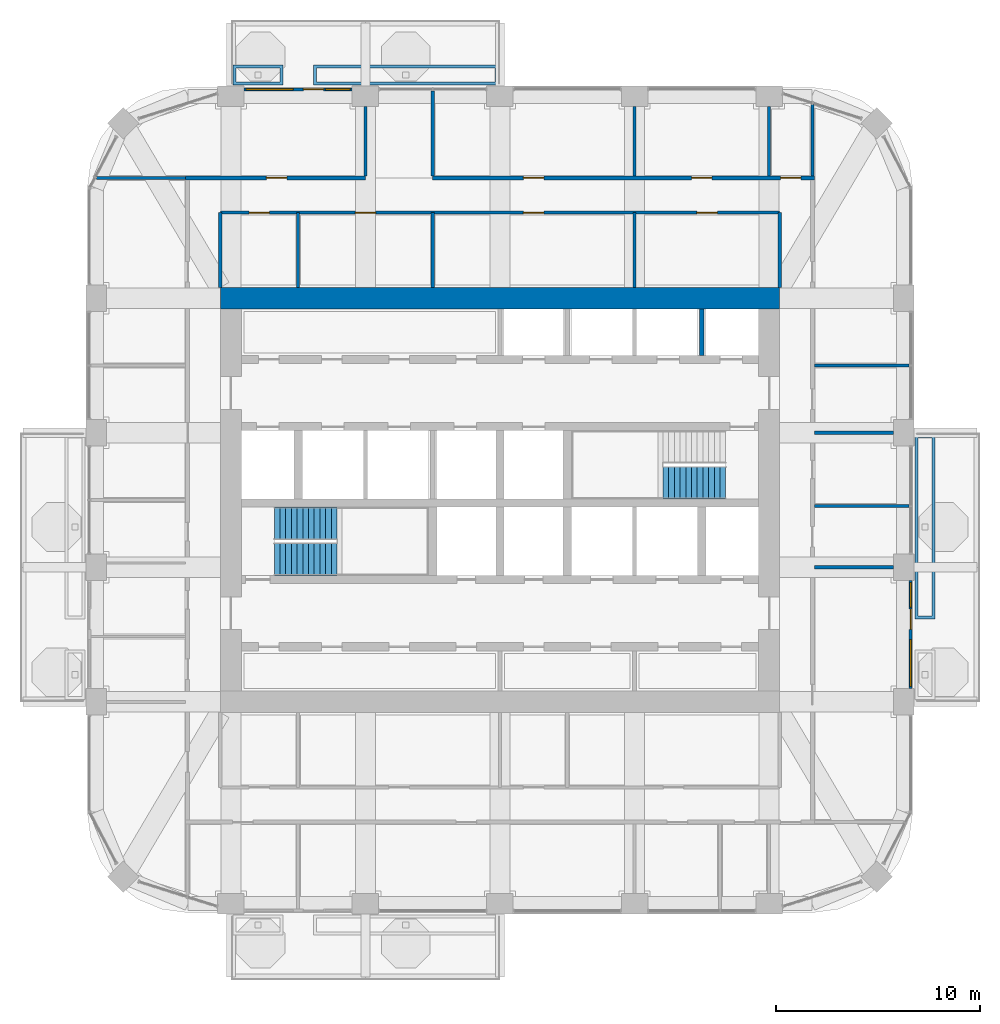
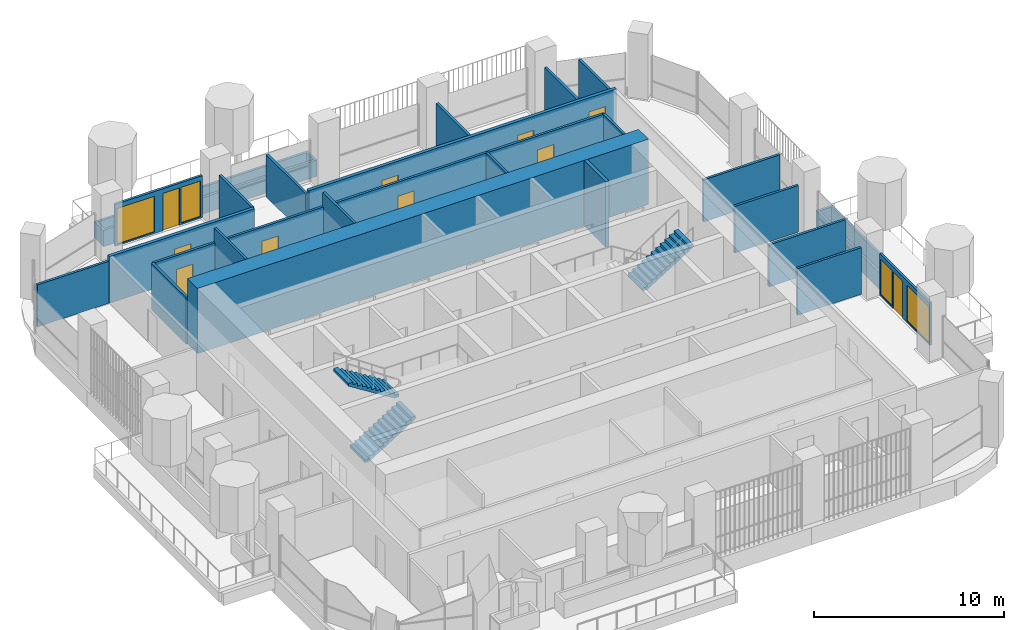
# One storey, part 14 of 19: 25 walls, 10 doors, 4 windows, 3 stair flights, 14 openings, 2 elements without a shape of their own.
"""IFC4 building model written with IfcOpenShell, lengths in metres."""

from ifc_helpers import new_model, si_unit, direction, frame, frame_2d, origin, place, context, subcontext, project, spatial, polyline, rectangle, outline, extrude, material, layer, layer_set, type_object, element, fill, aggregate, save


model = new_model("IFC4")

# Units and contexts
model_context = context("Model", 3, precision=1e-05, world=origin(), true_north=direction((0.0, 1.0)))
body_context = subcontext(model_context, "Body", "Model", "MODEL_VIEW")
ifc_project = project(units=[si_unit("LENGTHUNIT", "METRE"), si_unit("AREAUNIT", "SQUARE_METRE"), si_unit("VOLUMEUNIT", "CUBIC_METRE"), si_unit("PLANEANGLEUNIT", "RADIAN"), si_unit("MASSUNIT", "GRAM", prefix="KILO")], contexts=[model_context])

# Site, building, storey
site_placement = place(None, origin())
site = spatial("IfcSite", under=ifc_project, at=site_placement, CompositionType="ELEMENT")
building_placement = place(site_placement, origin())
building = spatial("IfcBuilding", under=site, at=building_placement, Name="Cobogo Forest Laboratory Tower", CompositionType="ELEMENT")
storey_placement = place(building_placement, frame((0.0, 0.0, 237.60009765625)))
storey = spatial("IfcBuildingStorey", under=building, at=storey_placement, Name="L54", CompositionType="ELEMENT", Elevation=237.60009765625)

# Wall
ifc_material_1 = material(Name="Concrete HA-50 (C50/60)", Category="concrete")
ifc_layer_1 = layer(ifc_material_1, 1.050048828125)
ifc_layer_set_1 = layer_set([ifc_layer_1], Name="CW1050 core outer wall 1050")
wall_type_1 = type_object("IfcWallType", Name="CW1050 core outer wall 1050", PredefinedType="SHEAR", material=ifc_layer_set_1)
wall_1_placement = place(storey_placement, frame((40.125, 33.0, 0.0), z_axis=(0.0, 0.0, 1.0), x_axis=(-1.0, 0.0, 0.0)))
element("IfcWall", 1, at=wall_1_placement, inside=storey, type_object=wall_type_1, Name="Core wall CO-N L54", PredefinedType="SHEAR", context=body_context, shape_type="SweptSolid", body=[
    extrude(rectangle(XDim=27.449951171875, YDim=1.050048828125, at=frame_2d((13.72509765625, 0.0))), origin(), (0.0, 0.0, 1.0), 4.199951171875),
])

# Wall, openings, door, windows
ifc_material_2 = material(Name="Aluminium framed glazed screen", Category="aluminium")
ifc_layer_2 = layer(ifc_material_2, 0.14990234375)
ifc_layer_set_2 = layer_set([ifc_layer_2], Name="GS1 glazed door screen 150")
wall_type_2 = type_object("IfcWallType", Name="GS1 glazed door screen 150", PredefinedType="SOLIDWALL", material=ifc_layer_set_2)
wall_2_placement = place(storey_placement, frame((46.550048828125, 13.85009765625, 0.0), z_axis=(0.0, 0.0, 1.0), x_axis=(0.0, 1.0, 0.0)))
wall_2 = element("IfcWall", 2, at=wall_2_placement, inside=storey, type_object=wall_type_2, Name="Door screen BAL-E1 L54", PredefinedType="SOLIDWALL", context=body_context, shape_type="SweptSolid", body=[
    extrude(rectangle(XDim=5.2998046875, YDim=0.14990234375, at=frame_2d((2.64990234375, 0.0))), origin(), (0.0, 0.0, 1.0), 2.699951171875),
])
opening_1_placement = place(wall_2_placement, frame((2.89990234375, 0.0, 0.0)))
opening_1 = element("IfcOpeningElement", 3, at=opening_1_placement, cuts=wall_2, Name="Opening L54-D23", PredefinedType="OPENING", context=body_context, shape_type="SweptSolid", body=[
    extrude(rectangle(XDim=1.0, YDim=2.39990234375, at=frame_2d((0.5, 1.199951171875))), frame((0.0, 0.0849609375, 0.0), z_axis=(0.0, -1.0, 0.0), x_axis=(1.0, 0.0, 0.0)), (0.0, 0.0, 1.0), 0.169921875),
])
opening_2_placement = place(wall_2_placement, frame((0.10009765625, 0.0, 0.10009765625)))
opening_2 = element("IfcOpeningElement", 4, at=opening_2_placement, cuts=wall_2, Name="Opening L54-W04", PredefinedType="OPENING", context=body_context, shape_type="SweptSolid", body=[
    extrude(rectangle(XDim=2.300048828125, YDim=2.300048828125, at=frame_2d((1.14990234375, 1.14990234375))), frame((0.0, 0.0849609375, 0.0), z_axis=(0.0, -1.0, 0.0), x_axis=(1.0, 0.0, 0.0)), (0.0, 0.0, 1.0), 0.169921875),
])
opening_3_placement = place(wall_2_placement, frame((4.0, 0.0, 0.10009765625)))
opening_3 = element("IfcOpeningElement", 5, at=opening_3_placement, cuts=wall_2, Name="Opening L54-W06", PredefinedType="OPENING", context=body_context, shape_type="SweptSolid", body=[
    extrude(rectangle(XDim=1.199951171875, YDim=2.300048828125, at=frame_2d((0.60009765625, 1.14990234375))), frame((0.0, 0.0849609375, 0.0), z_axis=(0.0, -1.0, 0.0), x_axis=(1.0, 0.0, 0.0)), (0.0, 0.0, 1.0), 0.169921875),
])
ifc_material_3 = material(Name="Aluminium glazed door", Category="aluminium")
door_type_1 = type_object("IfcDoorType", Name="DB1 balcony door 1000 glazed", OperationType="SINGLE_SWING_LEFT", PredefinedType="DOOR", material=ifc_material_3)
door_1_placement = place(opening_1_placement, origin())
door_1 = element("IfcDoor", 6, at=door_1_placement, inside=storey, type_object=door_type_1, Name="Door L54-BAL-E1", OperationType="SINGLE_SWING_RIGHT", OverallHeight=2.39990234375, OverallWidth=1.0, PredefinedType="DOOR", context=body_context, shape_type="SweptSolid", body=[
    extrude(rectangle(XDim=1.0, YDim=2.39990234375, at=frame_2d((0.5, 1.199951171875))), frame((0.0, 0.02490234375, 0.0), z_axis=(0.0, -1.0, 0.0), x_axis=(1.0, 0.0, 0.0)), (0.0, 0.0, 1.0), 0.050048828125),
])
fill(opening_1, door_1)
ifc_material_4 = material(Name="Aluminium framed glazing", Category="aluminium")
window_type_1 = type_object("IfcWindowType", Name="WG21 fixed glazed light 2300x2300", PartitioningType="SINGLE_PANEL", PredefinedType="WINDOW", material=ifc_material_4)
window_1_placement = place(opening_2_placement, origin())
window_1 = element("IfcWindow", 7, at=window_1_placement, inside=storey, type_object=window_type_1, Name="Window L54-BAL-E1-1", OverallHeight=2.300048828125, OverallWidth=2.300048828125, PartitioningType="SINGLE_PANEL", PredefinedType="WINDOW", context=body_context, shape_type="SweptSolid", body=[
    extrude(rectangle(XDim=2.300048828125, YDim=2.300048828125, at=frame_2d((1.14990234375, 1.14990234375))), frame((0.0, 0.030029296875, 0.0), z_axis=(0.0, -1.0, 0.0), x_axis=(1.0, 0.0, 0.0)), (0.0, 0.0, 1.0), 0.06005859375),
])
fill(opening_2, window_1)
window_type_2 = type_object("IfcWindowType", Name="WG22 fixed glazed light 1200x2300", PartitioningType="SINGLE_PANEL", PredefinedType="WINDOW", material=ifc_material_4)
window_2_placement = place(opening_3_placement, origin())
window_2 = element("IfcWindow", 8, at=window_2_placement, inside=storey, type_object=window_type_2, Name="Window L54-BAL-E1-2", OverallHeight=2.300048828125, OverallWidth=1.199951171875, PartitioningType="SINGLE_PANEL", PredefinedType="WINDOW", context=body_context, shape_type="SweptSolid", body=[
    extrude(rectangle(XDim=1.199951171875, YDim=2.300048828125, at=frame_2d((0.60009765625, 1.14990234375))), frame((0.0, 0.030029296875, 0.0), z_axis=(0.0, -1.0, 0.0), x_axis=(1.0, 0.0, 0.0)), (0.0, 0.0, 1.0), 0.06005859375),
])
fill(opening_3, window_2)

wall_3_placement = place(storey_placement, frame((19.14990234375, 43.25, 0.0), z_axis=(0.0, 0.0, 1.0), x_axis=(-1.0, 0.0, 0.0)))
wall_3 = element("IfcWall", 9, at=wall_3_placement, inside=storey, type_object=wall_type_2, Name="Door screen BAL-N1 L54", PredefinedType="SOLIDWALL", context=body_context, shape_type="SweptSolid", body=[
    extrude(rectangle(XDim=5.2998046875, YDim=0.14990234375, at=frame_2d((2.64990234375, 0.0))), origin(), (0.0, 0.0, 1.0), 2.699951171875),
])
opening_4_placement = place(wall_3_placement, frame((1.39990234375, 0.0, 0.0)))
opening_4 = element("IfcOpeningElement", 10, at=opening_4_placement, cuts=wall_3, Name="Opening L54-D52", PredefinedType="OPENING", context=body_context, shape_type="SweptSolid", body=[
    extrude(rectangle(XDim=1.0, YDim=2.39990234375, at=frame_2d((0.5, 1.199951171875))), frame((0.0, 0.0849609375, 0.0), z_axis=(0.0, -1.0, 0.0), x_axis=(1.0, 0.0, 0.0)), (0.0, 0.0, 1.0), 0.169921875),
])
opening_5_placement = place(wall_3_placement, frame((0.10009765625, 0.0, 0.10009765625)))
opening_5 = element("IfcOpeningElement", 11, at=opening_5_placement, cuts=wall_3, Name="Opening L54-W08", PredefinedType="OPENING", context=body_context, shape_type="SweptSolid", body=[
    extrude(rectangle(XDim=1.199951171875, YDim=2.300048828125, at=frame_2d((0.60009765625, 1.14990234375))), frame((0.0, 0.0849609375, 0.0), z_axis=(0.0, -1.0, 0.0), x_axis=(1.0, 0.0, 0.0)), (0.0, 0.0, 1.0), 0.169921875),
])
opening_6_placement = place(wall_3_placement, frame((2.89990234375, 0.0, 0.10009765625)))
opening_6 = element("IfcOpeningElement", 12, at=opening_6_placement, cuts=wall_3, Name="Opening L54-W07", PredefinedType="OPENING", context=body_context, shape_type="SweptSolid", body=[
    extrude(rectangle(XDim=2.300048828125, YDim=2.300048828125, at=frame_2d((1.14990234375, 1.14990234375))), frame((0.0, 0.0849609375, 0.0), z_axis=(0.0, -1.0, 0.0), x_axis=(1.0, 0.0, 0.0)), (0.0, 0.0, 1.0), 0.169921875),
])
door_2_placement = place(opening_4_placement, origin())
door_2 = element("IfcDoor", 13, at=door_2_placement, inside=storey, type_object=door_type_1, Name="Door L54-BAL-N1", OperationType="SINGLE_SWING_LEFT", OverallHeight=2.39990234375, OverallWidth=1.0, PredefinedType="DOOR", context=body_context, shape_type="SweptSolid", body=[
    extrude(rectangle(XDim=1.0, YDim=2.39990234375, at=frame_2d((0.5, 1.199951171875))), frame((0.0, 0.02490234375, 0.0), z_axis=(0.0, -1.0, 0.0), x_axis=(1.0, 0.0, 0.0)), (0.0, 0.0, 1.0), 0.050048828125),
])
fill(opening_4, door_2)
window_3_placement = place(opening_6_placement, origin())
window_3 = element("IfcWindow", 14, at=window_3_placement, inside=storey, type_object=window_type_1, Name="Window L54-BAL-N1-2", OverallHeight=2.300048828125, OverallWidth=2.300048828125, PartitioningType="SINGLE_PANEL", PredefinedType="WINDOW", context=body_context, shape_type="SweptSolid", body=[
    extrude(rectangle(XDim=2.300048828125, YDim=2.300048828125, at=frame_2d((1.14990234375, 1.14990234375))), frame((0.0, 0.030029296875, 0.0), z_axis=(0.0, -1.0, 0.0), x_axis=(1.0, 0.0, 0.0)), (0.0, 0.0, 1.0), 0.06005859375),
])
fill(opening_6, window_3)
window_4_placement = place(opening_5_placement, origin())
window_4 = element("IfcWindow", 15, at=window_4_placement, inside=storey, type_object=window_type_2, Name="Window L54-BAL-N1-1", OverallHeight=2.300048828125, OverallWidth=1.199951171875, PartitioningType="SINGLE_PANEL", PredefinedType="WINDOW", context=body_context, shape_type="SweptSolid", body=[
    extrude(rectangle(XDim=1.199951171875, YDim=2.300048828125, at=frame_2d((0.60009765625, 1.14990234375))), frame((0.0, 0.030029296875, 0.0), z_axis=(0.0, -1.0, 0.0), x_axis=(1.0, 0.0, 0.0)), (0.0, 0.0, 1.0), 0.06005859375),
])
fill(opening_5, window_4)

# Wall, openings, doors
ifc_material_5 = material(Name="Gypsum board on steel studs", Category="steel")
ifc_layer_3 = layer(ifc_material_5, 0.14990234375)
ifc_layer_set_3 = layer_set([ifc_layer_3], Name="PT1 laboratory partition 150")
wall_type_3 = type_object("IfcWallType", Name="PT1 laboratory partition 150", PredefinedType="PARTITIONING", material=ifc_layer_set_3)
wall_4_placement = place(storey_placement, frame((12.675048828125, 37.199951171875, 0.0), z_axis=(0.0, 0.0, 1.0), x_axis=(1.0, 0.0, 0.0)))
wall_4 = element("IfcWall", 16, at=wall_4_placement, inside=storey, type_object=wall_type_3, Name="Partition CSTRIP-N L54", PredefinedType="PARTITIONING", context=body_context, shape_type="SweptSolid", body=[
    extrude(rectangle(XDim=27.449951171875, YDim=0.14990234375, at=frame_2d((13.72509765625, 0.0))), origin(), (0.0, 0.0, 1.0), 3.0),
])
opening_7_placement = place(wall_4_placement, frame((1.41259765625, 0.0, 0.0)))
opening_7 = element("IfcOpeningElement", 17, at=opening_7_placement, cuts=wall_4, Name="Opening L54-D44", PredefinedType="OPENING", context=body_context, shape_type="SweptSolid", body=[
    extrude(rectangle(XDim=1.0, YDim=2.10009765625, at=frame_2d((0.5, 1.050048828125))), frame((0.0, 0.0849609375, 0.0), z_axis=(0.0, -1.0, 0.0), x_axis=(1.0, 0.0, 0.0)), (0.0, 0.0, 1.0), 0.169921875),
])
opening_8_placement = place(wall_4_placement, frame((6.625, 0.0, 0.0)))
opening_8 = element("IfcOpeningElement", 18, at=opening_8_placement, cuts=wall_4, Name="Opening L54-D45", PredefinedType="OPENING", context=body_context, shape_type="SweptSolid", body=[
    extrude(rectangle(XDim=1.0, YDim=2.10009765625, at=frame_2d((0.5, 1.050048828125))), frame((0.0, 0.0849609375, 0.0), z_axis=(0.0, -1.0, 0.0), x_axis=(1.0, 0.0, 0.0)), (0.0, 0.0, 1.0), 0.169921875),
])
opening_9_placement = place(wall_4_placement, frame((14.875, 0.0, 0.0)))
opening_9 = element("IfcOpeningElement", 19, at=opening_9_placement, cuts=wall_4, Name="Opening L54-D46", PredefinedType="OPENING", context=body_context, shape_type="SweptSolid", body=[
    extrude(rectangle(XDim=1.0, YDim=2.10009765625, at=frame_2d((0.5, 1.050048828125))), frame((0.0, 0.0849609375, 0.0), z_axis=(0.0, -1.0, 0.0), x_axis=(1.0, 0.0, 0.0)), (0.0, 0.0, 1.0), 0.169921875),
])
opening_10_placement = place(wall_4_placement, frame((23.387451171875, 0.0, 0.0)))
opening_10 = element("IfcOpeningElement", 20, at=opening_10_placement, cuts=wall_4, Name="Opening L54-D47", PredefinedType="OPENING", context=body_context, shape_type="SweptSolid", body=[
    extrude(rectangle(XDim=1.0, YDim=2.10009765625, at=frame_2d((0.5, 1.050048828125))), frame((0.0, 0.0849609375, 0.0), z_axis=(0.0, -1.0, 0.0), x_axis=(1.0, 0.0, 0.0)), (0.0, 0.0, 1.0), 0.169921875),
])
ifc_material_6 = material(Name="Timber fire door", Category="wood")
door_type_2 = type_object("IfcDoorType", Name="FD2 fire door 1000 EI2 30", OperationType="SINGLE_SWING_LEFT", PredefinedType="DOOR", material=ifc_material_6)
door_3_placement = place(opening_7_placement, origin())
door_3 = element("IfcDoor", 21, at=door_3_placement, inside=storey, type_object=door_type_2, Name="Door L54-CSN1", OperationType="SINGLE_SWING_LEFT", OverallHeight=2.10009765625, OverallWidth=1.0, PredefinedType="DOOR", context=body_context, shape_type="SweptSolid", body=[
    extrude(rectangle(XDim=1.0, YDim=2.10009765625, at=frame_2d((0.5, 1.050048828125))), frame((0.0, 0.02490234375, 0.0), z_axis=(0.0, -1.0, 0.0), x_axis=(1.0, 0.0, 0.0)), (0.0, 0.0, 1.0), 0.050048828125),
])
fill(opening_7, door_3)
door_4_placement = place(opening_8_placement, origin())
door_4 = element("IfcDoor", 22, at=door_4_placement, inside=storey, type_object=door_type_2, Name="Door L54-CSN2", OperationType="SINGLE_SWING_LEFT", OverallHeight=2.10009765625, OverallWidth=1.0, PredefinedType="DOOR", context=body_context, shape_type="SweptSolid", body=[
    extrude(rectangle(XDim=1.0, YDim=2.10009765625, at=frame_2d((0.5, 1.050048828125))), frame((0.0, 0.02490234375, 0.0), z_axis=(0.0, -1.0, 0.0), x_axis=(1.0, 0.0, 0.0)), (0.0, 0.0, 1.0), 0.050048828125),
])
fill(opening_8, door_4)
door_5_placement = place(opening_9_placement, origin())
door_5 = element("IfcDoor", 23, at=door_5_placement, inside=storey, type_object=door_type_2, Name="Door L54-CSN3", OperationType="SINGLE_SWING_RIGHT", OverallHeight=2.10009765625, OverallWidth=1.0, PredefinedType="DOOR", context=body_context, shape_type="SweptSolid", body=[
    extrude(rectangle(XDim=1.0, YDim=2.10009765625, at=frame_2d((0.5, 1.050048828125))), frame((0.0, 0.02490234375, 0.0), z_axis=(0.0, -1.0, 0.0), x_axis=(1.0, 0.0, 0.0)), (0.0, 0.0, 1.0), 0.050048828125),
])
fill(opening_9, door_5)
door_6_placement = place(opening_10_placement, origin())
door_6 = element("IfcDoor", 24, at=door_6_placement, inside=storey, type_object=door_type_2, Name="Door L54-CSN4", OperationType="SINGLE_SWING_RIGHT", OverallHeight=2.10009765625, OverallWidth=1.0, PredefinedType="DOOR", context=body_context, shape_type="SweptSolid", body=[
    extrude(rectangle(XDim=1.0, YDim=2.10009765625, at=frame_2d((0.5, 1.050048828125))), frame((0.0, 0.02490234375, 0.0), z_axis=(0.0, -1.0, 0.0), x_axis=(1.0, 0.0, 0.0)), (0.0, 0.0, 1.0), 0.050048828125),
])
fill(opening_10, door_6)

# Walls
for number, where, z_axis, x_axis, name in (
    (25, (12.675048828125, 33.52490234375, 0.0), (0.0, 0.0, 1.0), (0.0, 1.0, 0.0), "Partition CSTRIP-NW L54"),
    (26, (40.125, 33.52490234375, 0.0), (0.0, 0.0, 1.0), (0.0, 1.0, 0.0), "Partition CSTRIP-NE L54"),
):
    element("IfcWall", number, at=place(storey_placement, frame(where, z_axis=z_axis, x_axis=x_axis)), inside=storey, type_object=wall_type_3, Name=name, PredefinedType="PARTITIONING", context=body_context, shape_type="SweptSolid", body=[
        extrude(rectangle(XDim=3.675048828125, YDim=0.14990234375, at=frame_2d((1.83740234375, 0.0))), origin(), (0.0, 0.0, 1.0), 3.0),
    ])
for number, where, z_axis, x_axis, name in (
    (27, (16.5, 33.52490234375, 0.0), (0.0, 0.0, 1.0), (0.0, 1.0, 0.0), "Partition CSTRIP-N16.5 L54"),
    (28, (23.10009765625, 33.52490234375, 0.0), (0.0, 0.0, 1.0), (0.0, 1.0, 0.0), "Partition CSTRIP-N23.1 L54"),
):
    element("IfcWall", number, at=place(storey_placement, frame(where, z_axis=z_axis, x_axis=x_axis)), inside=storey, type_object=wall_type_3, Name=name, PredefinedType="PARTITIONING", context=body_context, shape_type="SweptSolid", body=[
        extrude(rectangle(XDim=3.675048828125, YDim=0.14990234375, at=frame_2d((1.83740234375, 0.0))), origin(), (0.0, 0.0, 1.0), 3.89990234375),
    ])
wall_5_placement = place(storey_placement, frame((33.0, 33.52490234375, 0.0), z_axis=(0.0, 0.0, 1.0), x_axis=(0.0, 1.0, 0.0)))
element("IfcWall", 29, at=wall_5_placement, inside=storey, type_object=wall_type_3, Name="Partition CSTRIP-N33 L54", PredefinedType="PARTITIONING", context=body_context, shape_type="SweptSolid", body=[
    extrude(rectangle(XDim=3.675048828125, YDim=0.14990234375, at=frame_2d((1.83740234375, 0.0))), origin(), (0.0, 0.0, 1.0), 3.0),
])
wall_6_placement = place(storey_placement, frame((41.72509765625, 42.4951171875, 0.0), z_axis=(0.0, 0.0, 1.0), x_axis=(0.0, -1.0, 0.0)))
element("IfcWall", 30, at=wall_6_placement, inside=storey, type_object=wall_type_3, Name="Partition PW-NE L54", PredefinedType="PARTITIONING", context=body_context, shape_type="SweptSolid", body=[
    extrude(rectangle(XDim=3.4951171875, YDim=0.14990234375, at=frame_2d((1.74755859375, 0.0))), origin(), (0.0, 0.0, 1.0), 2.699951171875),
])
wall_7_placement = place(storey_placement, frame((6.6025390625, 38.89990234375, 0.0), z_axis=(0.0, 0.0, 1.0), x_axis=(1.0, 0.0, 0.0)))
element("IfcWall", 31, at=wall_7_placement, inside=storey, type_object=wall_type_3, Name="Partition PW-NW L54", PredefinedType="PARTITIONING", context=body_context, shape_type="SweptSolid", body=[
    extrude(rectangle(XDim=4.37255859375, YDim=0.14990234375, at=frame_2d((2.186279296875, 0.0))), origin(), (0.0, 0.0, 1.0), 2.699951171875),
])
wall_8_placement = place(storey_placement, frame((46.469970703125, 22.800048828125, 0.0), z_axis=(0.0, 0.0, 1.0), x_axis=(-1.0, 0.0, 0.0)))
element("IfcWall", 32, at=wall_8_placement, inside=storey, type_object=wall_type_3, Name="Partition SVC-E1-1 L54", PredefinedType="PARTITIONING", context=body_context, shape_type="SweptSolid", body=[
    extrude(rectangle(XDim=4.64501953125, YDim=0.14990234375, at=frame_2d((2.322509765625, 0.0))), origin(), (0.0, 0.0, 1.0), 2.699951171875),
])
for number, where, z_axis, x_axis, name in (
    (33, (45.699951171875, 26.39990234375, 0.0), (0.0, 0.0, 1.0), (-1.0, 0.0, 0.0), "Partition SVC-E2-1 L54"),
    (34, (45.699951171875, 19.800048828125, 0.0), (0.0, 0.0, 1.0), (-1.0, 0.0, 0.0), "Partition CUT-E19.8-1 L54"),
):
    element("IfcWall", number, at=place(storey_placement, frame(where, z_axis=z_axis, x_axis=x_axis)), inside=storey, type_object=wall_type_3, Name=name, PredefinedType="PARTITIONING", context=body_context, shape_type="SweptSolid", body=[
        extrude(rectangle(XDim=3.875, YDim=0.14990234375, at=frame_2d((1.9375, 0.0))), origin(), (0.0, 0.0, 1.0), 3.0),
    ])
wall_9_placement = place(storey_placement, frame((46.469970703125, 29.699951171875, 0.0), z_axis=(0.0, 0.0, 1.0), x_axis=(-1.0, 0.0, 0.0)))
element("IfcWall", 35, at=wall_9_placement, inside=storey, type_object=wall_type_3, Name="Partition CUT-E29.7-1 L54", PredefinedType="PARTITIONING", context=body_context, shape_type="SweptSolid", body=[
    extrude(rectangle(XDim=4.64501953125, YDim=0.14990234375, at=frame_2d((2.322509765625, 0.0))), origin(), (0.0, 0.0, 1.0), 2.699951171875),
])
wall_10_placement = place(storey_placement, frame((19.800048828125, 42.39990234375, 0.0), z_axis=(0.0, 0.0, 1.0), x_axis=(0.0, -1.0, 0.0)))
element("IfcWall", 36, at=wall_10_placement, inside=storey, type_object=wall_type_3, Name="Partition CUT-N19.8-1 L54", PredefinedType="PARTITIONING", context=body_context, shape_type="SweptSolid", body=[
    extrude(rectangle(XDim=3.39990234375, YDim=0.14990234375, at=frame_2d((1.699951171875, 0.0))), origin(), (0.0, 0.0, 1.0), 3.0),
])
wall_11_placement = place(storey_placement, frame((23.10009765625, 43.169921875, 0.0), z_axis=(0.0, 0.0, 1.0), x_axis=(0.0, -1.0, 0.0)))
element("IfcWall", 37, at=wall_11_placement, inside=storey, type_object=wall_type_3, Name="Partition CUT-N23.1-1 L54", PredefinedType="PARTITIONING", context=body_context, shape_type="SweptSolid", body=[
    extrude(rectangle(XDim=4.169921875, YDim=0.14990234375, at=frame_2d((2.0849609375, 0.0))), origin(), (0.0, 0.0, 1.0), 2.699951171875),
])
for number, where, z_axis, x_axis, name in (
    (38, (33.0, 42.39990234375, 0.0), (0.0, 0.0, 1.0), (0.0, -1.0, 0.0), "Partition CUT-N33-1 L54"),
    (39, (39.60009765625, 42.39990234375, 0.0), (0.0, 0.0, 1.0), (0.0, -1.0, 0.0), "Partition CUT-N39.6-1 L54"),
):
    element("IfcWall", number, at=place(storey_placement, frame(where, z_axis=z_axis, x_axis=x_axis)), inside=storey, type_object=wall_type_3, Name=name, PredefinedType="PARTITIONING", context=body_context, shape_type="SweptSolid", body=[
        extrude(rectangle(XDim=3.39990234375, YDim=0.14990234375, at=frame_2d((1.699951171875, 0.0))), origin(), (0.0, 0.0, 1.0), 3.0),
    ])

# Wall, opening, door
ifc_layer_4 = layer(ifc_material_5, 0.199951171875)
ifc_layer_set_4 = layer_set([ifc_layer_4], Name="PT2 fire-rated corridor partition 200")
wall_type_4 = type_object("IfcWallType", Name="PT2 fire-rated corridor partition 200", PredefinedType="PARTITIONING", material=ifc_layer_set_4)
wall_12_placement = place(storey_placement, frame((10.97509765625, 38.89990234375, 0.0), z_axis=(0.0, 0.0, 1.0), x_axis=(1.0, 0.0, 0.0)))
wall_12 = element("IfcWall", 40, at=wall_12_placement, inside=storey, type_object=wall_type_4, Name="Partition CORR-N-1 L54", PredefinedType="PARTITIONING", context=body_context, shape_type="SweptSolid", body=[
    extrude(rectangle(XDim=8.824951171875, YDim=0.199951171875, at=frame_2d((4.41259765625, 0.0))), origin(), (0.0, 0.0, 1.0), 3.0),
])
opening_11_placement = place(wall_12_placement, frame((3.96240234375, 0.0, 0.0)))
opening_11 = element("IfcOpeningElement", 41, at=opening_11_placement, cuts=wall_12, Name="Opening L54-D48", PredefinedType="OPENING", context=body_context, shape_type="SweptSolid", body=[
    extrude(rectangle(XDim=1.0, YDim=2.10009765625, at=frame_2d((0.5, 1.050048828125))), frame((0.0, 0.10986328125, 0.0), z_axis=(0.0, -1.0, 0.0), x_axis=(1.0, 0.0, 0.0)), (0.0, 0.0, 1.0), 0.219970703125),
])
door_7_placement = place(opening_11_placement, origin())
door_7 = element("IfcDoor", 42, at=door_7_placement, inside=storey, type_object=door_type_2, Name="Door L54-N1", OperationType="SINGLE_SWING_RIGHT", OverallHeight=2.10009765625, OverallWidth=1.0, PredefinedType="DOOR", context=body_context, shape_type="SweptSolid", body=[
    extrude(rectangle(XDim=1.0, YDim=2.10009765625, at=frame_2d((0.5, 1.050048828125))), frame((0.0, 0.02490234375, 0.0), z_axis=(0.0, -1.0, 0.0), x_axis=(1.0, 0.0, 0.0)), (0.0, 0.0, 1.0), 0.050048828125),
])
fill(opening_11, door_7)

# Wall, openings, doors
wall_13_placement = place(storey_placement, frame((23.10009765625, 38.89990234375, 0.0), z_axis=(0.0, 0.0, 1.0), x_axis=(1.0, 0.0, 0.0)))
wall_13 = element("IfcWall", 43, at=wall_13_placement, inside=storey, type_object=wall_type_4, Name="Partition CORR-N-2 L54", PredefinedType="PARTITIONING", context=body_context, shape_type="SweptSolid", body=[
    extrude(rectangle(XDim=18.724853515625, YDim=0.199951171875, at=frame_2d((9.3623046875, 0.0))), origin(), (0.0, 0.0, 1.0), 3.0),
])
opening_12_placement = place(wall_13_placement, frame((4.449951171875, 0.0, 0.0)))
opening_12 = element("IfcOpeningElement", 44, at=opening_12_placement, cuts=wall_13, Name="Opening L54-D49", PredefinedType="OPENING", context=body_context, shape_type="SweptSolid", body=[
    extrude(rectangle(XDim=1.0, YDim=2.10009765625, at=frame_2d((0.5, 1.050048828125))), frame((0.0, 0.10986328125, 0.0), z_axis=(0.0, -1.0, 0.0), x_axis=(1.0, 0.0, 0.0)), (0.0, 0.0, 1.0), 0.219970703125),
])
opening_13_placement = place(wall_13_placement, frame((12.699951171875, 0.0, 0.0)))
opening_13 = element("IfcOpeningElement", 45, at=opening_13_placement, cuts=wall_13, Name="Opening L54-D50", PredefinedType="OPENING", context=body_context, shape_type="SweptSolid", body=[
    extrude(rectangle(XDim=1.0, YDim=2.10009765625, at=frame_2d((0.5, 1.050048828125))), frame((0.0, 0.10986328125, 0.0), z_axis=(0.0, -1.0, 0.0), x_axis=(1.0, 0.0, 0.0)), (0.0, 0.0, 1.0), 0.219970703125),
])
opening_14_placement = place(wall_13_placement, frame((17.0625, 0.0, 0.0)))
opening_14 = element("IfcOpeningElement", 46, at=opening_14_placement, cuts=wall_13, Name="Opening L54-D51", PredefinedType="OPENING", context=body_context, shape_type="SweptSolid", body=[
    extrude(rectangle(XDim=1.0, YDim=2.10009765625, at=frame_2d((0.5, 1.050048828125))), frame((0.0, 0.10986328125, 0.0), z_axis=(0.0, -1.0, 0.0), x_axis=(1.0, 0.0, 0.0)), (0.0, 0.0, 1.0), 0.219970703125),
])
door_8_placement = place(opening_12_placement, origin())
door_8 = element("IfcDoor", 47, at=door_8_placement, inside=storey, type_object=door_type_2, Name="Door L54-N3", OperationType="SINGLE_SWING_LEFT", OverallHeight=2.10009765625, OverallWidth=1.0, PredefinedType="DOOR", context=body_context, shape_type="SweptSolid", body=[
    extrude(rectangle(XDim=1.0, YDim=2.10009765625, at=frame_2d((0.5, 1.050048828125))), frame((0.0, 0.02490234375, 0.0), z_axis=(0.0, -1.0, 0.0), x_axis=(1.0, 0.0, 0.0)), (0.0, 0.0, 1.0), 0.050048828125),
])
fill(opening_12, door_8)
door_9_placement = place(opening_13_placement, origin())
door_9 = element("IfcDoor", 48, at=door_9_placement, inside=storey, type_object=door_type_2, Name="Door L54-N4", OperationType="SINGLE_SWING_RIGHT", OverallHeight=2.10009765625, OverallWidth=1.0, PredefinedType="DOOR", context=body_context, shape_type="SweptSolid", body=[
    extrude(rectangle(XDim=1.0, YDim=2.10009765625, at=frame_2d((0.5, 1.050048828125))), frame((0.0, 0.02490234375, 0.0), z_axis=(0.0, -1.0, 0.0), x_axis=(1.0, 0.0, 0.0)), (0.0, 0.0, 1.0), 0.050048828125),
])
fill(opening_13, door_9)
door_10_placement = place(opening_14_placement, origin())
door_10 = element("IfcDoor", 49, at=door_10_placement, inside=storey, type_object=door_type_2, Name="Door L54-N5", OperationType="SINGLE_SWING_RIGHT", OverallHeight=2.10009765625, OverallWidth=1.0, PredefinedType="DOOR", context=body_context, shape_type="SweptSolid", body=[
    extrude(rectangle(XDim=1.0, YDim=2.10009765625, at=frame_2d((0.5, 1.050048828125))), frame((0.0, 0.02490234375, 0.0), z_axis=(0.0, -1.0, 0.0), x_axis=(1.0, 0.0, 0.0)), (0.0, 0.0, 1.0), 0.050048828125),
])
fill(opening_14, door_10)

# Walls
ifc_material_7 = material(Name="Concrete HA-40 (C40/50)", Category="concrete")
ifc_layer_5 = layer(ifc_material_7, 0.14990234375)
ifc_layer_set_5 = layer_set([ifc_layer_5], Name="Planter box 1000x1050")
wall_type_5 = type_object("IfcWallType", Name="Planter box 1000x1050", PredefinedType="USERDEFINED", material=ifc_layer_set_5)
wall_14_placement = place(storey_placement, origin())
element("IfcWall", 50, at=wall_14_placement, inside=storey, type_object=wall_type_5, Name="Planter BAL-E1-2 L54", ObjectType="PLANTER", PredefinedType="USERDEFINED", context=body_context, shape_type="SweptSolid", body=[
    extrude(outline(polyline([(46.75, 17.25), (47.75, 17.25), (47.75, 26.300048828125), (46.75, 26.300048828125), (46.75, 17.25)]), holes=[polyline([(46.89990234375, 17.39990234375), (47.60009765625, 17.39990234375), (47.60009765625, 26.14990234375), (46.89990234375, 26.14990234375), (46.89990234375, 17.39990234375)])]), origin(), (0.0, 0.0, 1.0), 1.0498046875),
])
wall_15_placement = place(storey_placement, origin())
element("IfcWall", 51, at=wall_15_placement, inside=storey, type_object=wall_type_5, Name="Planter BAL-N1-1 L54", ObjectType="PLANTER", PredefinedType="USERDEFINED", context=body_context, shape_type="SweptSolid", body=[
    extrude(outline(polyline([(13.300048828125, 43.449951171875), (15.75, 43.449951171875), (15.75, 44.449951171875), (13.300048828125, 44.449951171875), (13.300048828125, 43.449951171875)]), holes=[polyline([(13.449951171875, 43.60009765625), (15.60009765625, 43.60009765625), (15.60009765625, 44.300048828125), (13.449951171875, 44.300048828125), (13.449951171875, 43.60009765625)])]), origin(), (0.0, 0.0, 1.0), 1.0498046875),
])
wall_16_placement = place(storey_placement, origin())
element("IfcWall", 52, at=wall_16_placement, inside=storey, type_object=wall_type_5, Name="Planter BAL-N1-2 L54", ObjectType="PLANTER", PredefinedType="USERDEFINED", context=body_context, shape_type="SweptSolid", body=[
    extrude(outline(polyline([(17.25, 43.449951171875), (26.300048828125, 43.449951171875), (26.300048828125, 44.449951171875), (17.25, 44.449951171875), (17.25, 43.449951171875)]), holes=[polyline([(17.39990234375, 43.60009765625), (26.14990234375, 43.60009765625), (26.14990234375, 44.300048828125), (17.39990234375, 44.300048828125), (17.39990234375, 43.60009765625)])]), origin(), (0.0, 0.0, 1.0), 1.0498046875),
])
ifc_material_8 = material(Name="Concrete block", Category="concrete")
ifc_layer_6 = layer(ifc_material_8, 0.199951171875)
ifc_layer_set_6 = layer_set([ifc_layer_6], Name="SW200 lift shaft separator 200")
wall_type_6 = type_object("IfcWallType", Name="SW200 lift shaft separator 200", PredefinedType="PARTITIONING", material=ifc_layer_set_6)
wall_17_placement = place(storey_placement, frame((36.300048828125, 30.199951171875, 0.0), z_axis=(0.0, 0.0, 1.0), x_axis=(0.0, 1.0, 0.0)))
element("IfcWall", 53, at=wall_17_placement, inside=storey, type_object=wall_type_6, Name="Core wall SEP-N7 L54", PredefinedType="PARTITIONING", context=body_context, shape_type="SweptSolid", body=[
    extrude(rectangle(XDim=2.275146484375, YDim=0.199951171875, at=frame_2d((1.1376953125, 0.0))), origin(), (0.0, 0.0, 1.0), 4.199951171875),
])

# Stair, stair flights
ifc_material_9 = material(Name="Precast concrete HA-40 (C40/50)", Category="concrete")
stair_type = type_object("IfcStairType", Name="ST24 exit stair 24 risers", PredefinedType="HALF_TURN_STAIR", material=ifc_material_9)
stair_1_placement = place(storey_placement, origin())
stair_1 = element("IfcStair", 54, at=stair_1_placement, inside=storey, type_object=stair_type, Name="Stair 1 L54 to L55", PredefinedType="HALF_TURN_STAIR")
stair_flight_type = type_object("IfcStairFlightType", Name="ST stair flight 280 going", PredefinedType="STRAIGHT", material=ifc_material_9)
stair_flight_1_placement = place(storey_placement, frame((15.324951171875, 20.199951171875, 0.0), z_axis=(0.0, 0.0, 1.0), x_axis=(1.0, 0.0, 0.0)))
stair_flight_1 = element("IfcStairFlight", 55, at=stair_flight_1_placement, type_object=stair_flight_type, Name="ST1 flight 1", NumberOfRisers=12, NumberOfTreads=11, PredefinedType="STRAIGHT", RiserHeight=0.175, TreadLength=0.28, context=body_context, shape_type="SweptSolid", body=[
    extrude(outline(polyline([(0.0, 0.0), (0.0, 0.175048828125), (0.280029296875, 0.175048828125), (0.280029296875, 0.35009765625), (0.56005859375, 0.35009765625), (0.56005859375, 0.52490234375), (0.840087890625, 0.52490234375), (0.840087890625, 0.699951171875), (1.1201171875, 0.699951171875), (1.1201171875, 0.875), (1.39990234375, 0.875), (1.39990234375, 1.050048828125), (1.679931640625, 1.050048828125), (1.679931640625, 1.22509765625), (1.9599609375, 1.22509765625), (1.9599609375, 1.39990234375), (2.239990234375, 1.39990234375), (2.239990234375, 1.574951171875), (2.52001953125, 1.574951171875), (2.52001953125, 1.75), (2.800048828125, 1.75), (2.800048828125, 1.925048828125), (3.080078125, 1.925048828125), (3.080078125, 2.10009765625), (3.080078125, 1.748291015625), (0.28271484375, 0.0), (0.0, 0.0)])), frame((0.0, 0.800048828125, 0.0), z_axis=(0.0, -1.0, 0.0), x_axis=(1.0, 0.0, 0.0)), (0.0, 0.0, 1.0), 1.60009765625),
])
stair_flight_2_placement = place(storey_placement, frame((18.405029296875, 21.949951171875, 2.099853515625), z_axis=(0.0, 0.0, 1.0), x_axis=(-1.0, 0.0, 0.0)))
stair_flight_2 = element("IfcStairFlight", 56, at=stair_flight_2_placement, type_object=stair_flight_type, Name="ST1 flight 2", NumberOfRisers=12, NumberOfTreads=11, PredefinedType="STRAIGHT", RiserHeight=0.175, TreadLength=0.28, context=body_context, shape_type="SweptSolid", body=[
    extrude(outline(polyline([(0.0, 0.0), (0.0, 0.175048828125), (0.280029296875, 0.175048828125), (0.280029296875, 0.35009765625), (0.56005859375, 0.35009765625), (0.56005859375, 0.52490234375), (0.840087890625, 0.52490234375), (0.840087890625, 0.699951171875), (1.1201171875, 0.699951171875), (1.1201171875, 0.875), (1.39990234375, 0.875), (1.39990234375, 1.050048828125), (1.679931640625, 1.050048828125), (1.679931640625, 1.22509765625), (1.9599609375, 1.22509765625), (1.9599609375, 1.39990234375), (2.239990234375, 1.39990234375), (2.239990234375, 1.574951171875), (2.52001953125, 1.574951171875), (2.52001953125, 1.75), (2.800048828125, 1.75), (2.800048828125, 1.925048828125), (3.080078125, 1.925048828125), (3.080078125, 2.10009765625), (3.080078125, 1.748291015625), (0.28271484375, 0.0), (0.0, 0.0)])), frame((0.0, 0.800048828125, 0.0), z_axis=(0.0, -1.0, 0.0), x_axis=(1.0, 0.0, 0.0)), (0.0, 0.0, 1.0), 1.60009765625),
])
aggregate(stair_1, [stair_flight_1, stair_flight_2])

# Stair, stair flight
stair_2_placement = place(storey_placement, origin())
stair_2 = element("IfcStair", 57, at=stair_2_placement, inside=storey, type_object=stair_type, Name="Stair 2 L54 to L55", PredefinedType="HALF_TURN_STAIR")
stair_flight_3_placement = place(storey_placement, frame((34.39501953125, 23.949951171875, 2.099853515625), z_axis=(0.0, 0.0, 1.0), x_axis=(1.0, 0.0, 0.0)))
stair_flight_3 = element("IfcStairFlight", 58, at=stair_flight_3_placement, type_object=stair_flight_type, Name="ST2 flight 2", NumberOfRisers=12, NumberOfTreads=11, PredefinedType="STRAIGHT", RiserHeight=0.175, TreadLength=0.28, context=body_context, shape_type="SweptSolid", body=[
    extrude(outline(polyline([(0.0, 0.0), (0.0, 0.175048828125), (0.280029296875, 0.175048828125), (0.280029296875, 0.35009765625), (0.56005859375, 0.35009765625), (0.56005859375, 0.52490234375), (0.840087890625, 0.52490234375), (0.840087890625, 0.699951171875), (1.1201171875, 0.699951171875), (1.1201171875, 0.875), (1.39990234375, 0.875), (1.39990234375, 1.050048828125), (1.679931640625, 1.050048828125), (1.679931640625, 1.22509765625), (1.9599609375, 1.22509765625), (1.9599609375, 1.39990234375), (2.239990234375, 1.39990234375), (2.239990234375, 1.574951171875), (2.52001953125, 1.574951171875), (2.52001953125, 1.75), (2.800048828125, 1.75), (2.800048828125, 1.925048828125), (3.080078125, 1.925048828125), (3.080078125, 2.10009765625), (3.080078125, 1.748291015625), (0.28271484375, 0.0), (0.0, 0.0)])), frame((0.0, 0.800048828125, 0.0), z_axis=(0.0, -1.0, 0.0), x_axis=(1.0, 0.0, 0.0)), (0.0, 0.0, 1.0), 1.60009765625),
])
aggregate(stair_2, [stair_flight_3])

save(model, "model.ifc")
